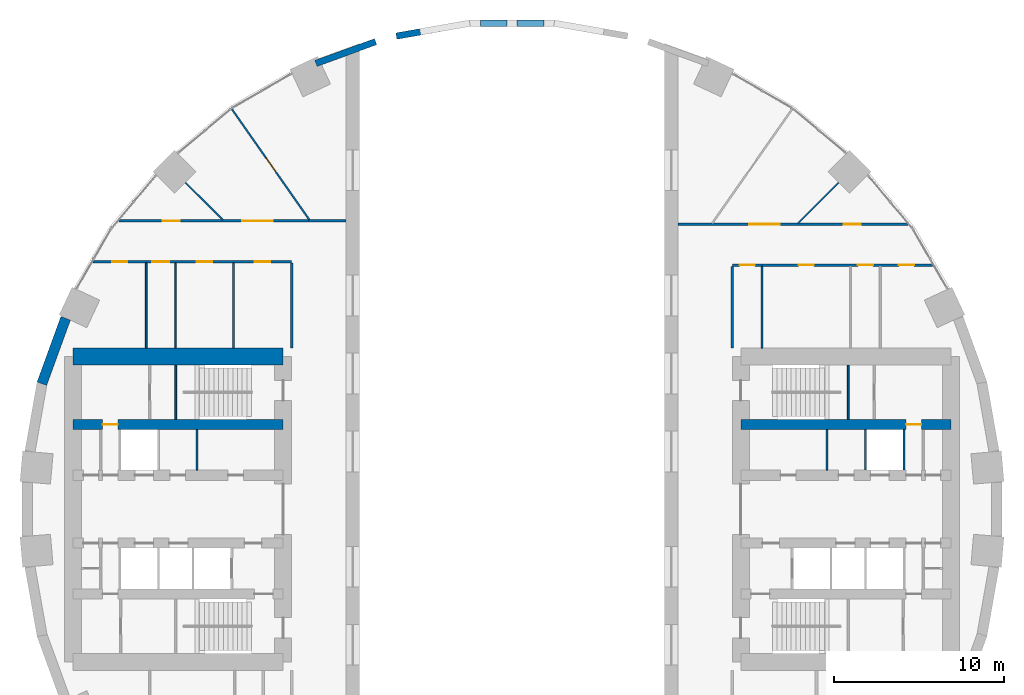
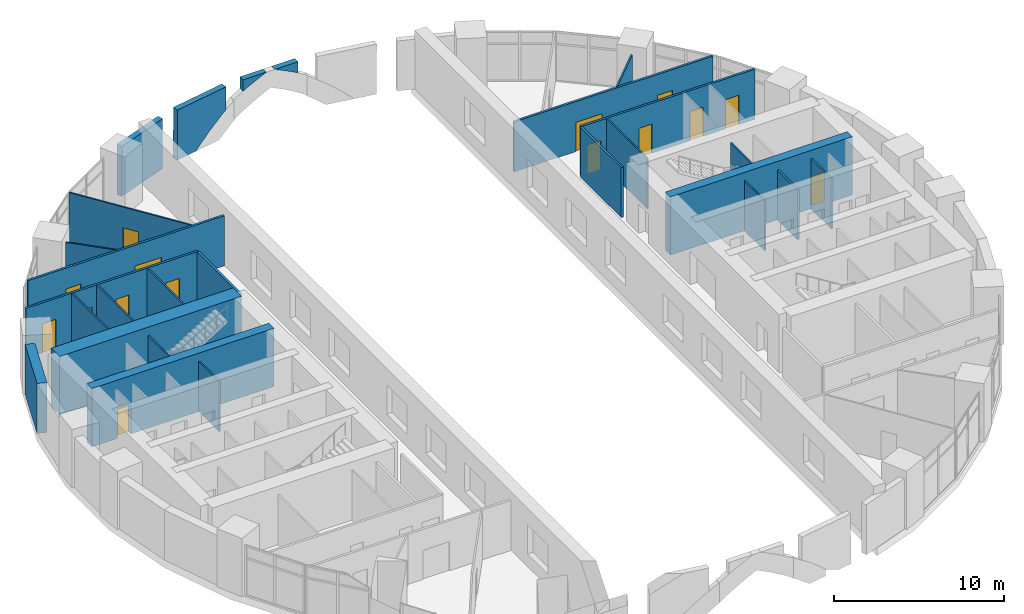
# One storey, part 13 of 15: 27 walls, 15 doors, 15 openings.
"""IFC4 building model written with IfcOpenShell, lengths in metres."""

from ifc_helpers import new_model, si_unit, direction, frame, frame_2d, origin, place, context, subcontext, project, spatial, polyline, rectangle, outline, extrude, material, layer, layer_set, type_object, element, fill, save


model = new_model("IFC4")

# Units and contexts
model_context = context("Model", 3, precision=1e-05, world=origin(), true_north=direction((0.0, 1.0)))
body_context = subcontext(model_context, "Body", "Model", "MODEL_VIEW")
ifc_project = project(units=[si_unit("LENGTHUNIT", "METRE"), si_unit("AREAUNIT", "SQUARE_METRE"), si_unit("VOLUMEUNIT", "CUBIC_METRE"), si_unit("PLANEANGLEUNIT", "RADIAN"), si_unit("MASSUNIT", "GRAM", prefix="KILO")], contexts=[model_context])

# Site, building, storey
site_placement = place(None, origin())
site = spatial("IfcSite", under=ifc_project, at=site_placement, CompositionType="ELEMENT")
building_placement = place(site_placement, origin())
building = spatial("IfcBuilding", under=site, at=building_placement, Name="Saqina Gate Tower", CompositionType="ELEMENT")
storey_placement = place(building_placement, frame((0.0, 0.0, 17.60009765625)))
storey = spatial("IfcBuildingStorey", under=building, at=storey_placement, Name="L04", CompositionType="ELEMENT", Elevation=17.60009765625)

# Walls
ifc_material_1 = material(Name="Gypsum board on steel studs", Category="steel")
ifc_layer_1 = layer(ifc_material_1, 0.10009765625)
ifc_layer_set_1 = layer_set([ifc_layer_1], Name="CORE PARTITION")
wall_type_1 = type_object("IfcWallType", Name="CORE PARTITION", PredefinedType="PARTITIONING", material=ifc_layer_set_1)
for number, where, z_axis, x_axis, name in (
    (1, (18.582763671875, 2.300048828125, 0.0), (0.0, 0.0, 1.0), (0.0, 1.0, 0.0), "L04-CP-E01"),
    (2, (-18.582763671875, 2.300048828125, 0.0), (0.0, 0.0, 1.0), (0.0, 1.0, 0.0), "L04-CP-W01"),
):
    element("IfcWall", number, at=place(storey_placement, frame(where, z_axis=z_axis, x_axis=x_axis)), inside=storey, type_object=wall_type_1, Name=name, PredefinedType="PARTITIONING", context=body_context, shape_type="SweptSolid", body=[
        extrude(rectangle(XDim=2.39990234375, YDim=0.10009765625, at=frame_2d((1.199951171875, 0.0))), origin(), (0.0, 0.0, 1.0), 3.599853515625),
    ])
ifc_material_2 = material(Name="Glazed ceramic tile", Category="ceramic")
ifc_layer_2 = layer(ifc_material_2, 0.3798828125)
ifc_layer_set_2 = layer_set([ifc_layer_2], Name="FW-ARCH")
wall_type_2 = type_object("IfcWallType", Name="FW-ARCH", PredefinedType="SOLIDWALL", material=ifc_layer_set_2)
wall_1_placement = place(storey_placement, frame((-1.87255859375, 28.84716796875, 3.599853515625), z_axis=(-9.2707463e-05, 0.999997459505, 0.002252196414), x_axis=(-1.6571e-08, 0.002252196422, -0.999997463802)))
element("IfcWall", 3, at=wall_1_placement, inside=storey, type_object=wall_type_2, Name="Arch frame wall L04 facet 9", PredefinedType="SOLIDWALL", context=body_context, shape_type="SweptSolid", body=[
    extrude(outline(polyline([(0.0, 0.0), (0.8242205085868971, 2.6469779601696886e-23), (0.6374528490739871, -0.3146972775403867), (-2.633265349742347e-08, -1.589111321296053), (0.0, 0.0)])), origin(), (0.0, 0.0, -1.0), 0.3798828125),
])
wall_2_placement = place(storey_placement, frame((1.872802734375, 28.84716796875, 3.599853515625), z_axis=(9.2681469e-05, 0.999997459559, 0.00225217375), x_axis=(-0.999999995705, 9.2681234e-05, 2.08735e-07)))
element("IfcWall", 4, at=wall_2_placement, inside=storey, type_object=wall_type_2, Name="Arch frame wall L04 facet 9", PredefinedType="SOLIDWALL", context=body_context, shape_type="SweptSolid", body=[
    extrude(outline(polyline([(0.0, 0.0), (1.5893554619238337, 0.0), (0.3149414076026505, -0.6374528542880732), (-1.3652332642722971e-08, -0.8242205085902359), (0.0, 0.0)])), origin(), (0.0, 0.0, -1.0), 0.3798828125),
])
wall_3_placement = place(storey_placement, frame((-3.1650390625, 28.734130859375, 3.599853515625), z_axis=(-0.173670912749, 0.984801696632, 0.002008077513), x_axis=(-0.984803682197, -0.173671262823, -4.0372e-08)))
element("IfcWall", 5, at=wall_3_placement, inside=storey, type_object=wall_type_2, Name="Arch frame wall L04 facet 10", PredefinedType="SOLIDWALL", context=body_context, shape_type="SweptSolid", body=[
    extrude(outline(polyline([(0.0, 0.0), (3.745379461620621, 0.0), (3.7453521537777634, -3.5998606846475094), (2.312697979892233, -3.5998606781283002), (2.1808456826695775, -3.4604562723167), (1.3010713377386536, -2.654058047193629), (0.36522127422020917, -1.9118692318878163), (-0.0001126746733170708, -1.6621129534081556), (0.0, 0.0)])), origin(), (0.0, 0.0, -1.0), 0.3798828125),
])
wall_4_placement = place(storey_placement, frame((-8.109130859375, 27.7548828125, 0.0), z_axis=(-0.342019725657, 0.939690559381, 0.002039576307), x_axis=(0.000746014046, -0.001898944844, 0.999997918734)))
element("IfcWall", 6, at=wall_4_placement, inside=storey, type_object=wall_type_2, Name="Arch frame wall L04 facet 11", PredefinedType="SOLIDWALL", context=body_context, shape_type="SweptSolid", body=[
    extrude(outline(polyline([(0.0, 0.0), (3.5998610078947766, -1.0842021724855044e-19), (3.599667947619239, -3.745407346899316), (-0.00019306027553755208, -3.7454073468993156), (0.0, 0.0)])), origin(), (0.0, 0.0, -1.0), 0.3798828125),
])
ifc_material_3 = material(Name="Glazed ceramic tile (white)", Category="ceramic")
ifc_layer_3 = layer(ifc_material_3, 0.60009765625)
ifc_layer_set_3 = layer_set([ifc_layer_3], Name="FW-TILE-WH")
wall_type_3 = type_object("IfcWallType", Name="FW-TILE-WH", PredefinedType="SOLIDWALL", material=ifc_layer_set_3)
wall_5_placement = place(storey_placement, frame((-26.327880859375, 11.255126953125, 0.0), z_axis=(0.0, 0.0, 1.0), x_axis=(-0.342034744565, -0.939687306241, 0.0)))
element("IfcWall", 7, at=wall_5_placement, inside=storey, type_object=wall_type_3, Name="Facade wall L04 facet 16", PredefinedType="SOLIDWALL", context=body_context, shape_type="SweptSolid", body=[
    extrude(rectangle(XDim=4.099365234375, YDim=0.60009765625, at=frame_2d((2.0498046875, 0.0))), origin(), (0.0, 0.0, 1.0), 3.599853515625),
])
ifc_material_4 = material(Name="Autoclaved aerated concrete block", Category="concrete")
ifc_layer_4 = layer(ifc_material_4, 0.1201171875)
ifc_layer_set_4 = layer_set([ifc_layer_4], Name="SHAFT PARTITION")
wall_type_4 = type_object("IfcWallType", Name="SHAFT PARTITION", PredefinedType="PARTITIONING", material=ifc_layer_set_4)
for number, where, z_axis, x_axis, name in (
    (8, (20.840087890625, 2.300048828125, 0.0), (0.0, 0.0, 1.0), (0.0, 1.0, 0.0), "L04-CP-E02"),
    (9, (23.1201171875, 2.300048828125, 0.0), (0.0, 0.0, 1.0), (0.0, 1.0, 0.0), "L04-CP-E03"),
):
    element("IfcWall", number, at=place(storey_placement, frame(where, z_axis=z_axis, x_axis=x_axis)), inside=storey, type_object=wall_type_4, Name=name, PredefinedType="PARTITIONING", context=body_context, shape_type="SweptSolid", body=[
        extrude(rectangle(XDim=2.39990234375, YDim=0.1201171875, at=frame_2d((1.199951171875, 0.0))), origin(), (0.0, 0.0, 1.0), 3.599853515625),
    ])

# Wall, opening, door
ifc_material_5 = material(Name="Gypsum board on steel studs, 100 mm", Category="steel")
ifc_layer_5 = layer(ifc_material_5, 0.10009765625)
ifc_layer_set_5 = layer_set([ifc_layer_5], Name="SPECIAL PARTITION 100")
wall_type_5 = type_object("IfcWallType", Name="SPECIAL PARTITION 100", PredefinedType="PARTITIONING", material=ifc_layer_set_5)
wall_6_placement = place(storey_placement, frame((-16.51904296875, 23.591064453125, 0.0), z_axis=(0.0, 0.0, 1.0), x_axis=(0.573651437941, -0.819099522493, 0.0)))
wall_6 = element("IfcWall", 10, at=wall_6_placement, inside=storey, type_object=wall_type_5, Name="PARTITION 001", PredefinedType="PARTITIONING", context=body_context, shape_type="SweptSolid", body=[
    extrude(rectangle(XDim=7.97119140625, YDim=0.10009765625, at=frame_2d((3.985595703125, 0.0))), origin(), (0.0, 0.0, 1.0), 3.599853515625),
])
opening_1_placement = place(wall_6_placement, frame((3.52294921875, 0.0, 0.0)))
opening_1 = element("IfcOpeningElement", 11, at=opening_1_placement, cuts=wall_6, Name="Opening L04-D08", PredefinedType="OPENING", context=body_context, shape_type="SweptSolid", body=[
    extrude(rectangle(XDim=1.0, YDim=2.10009765625, at=frame_2d((0.5, 1.050048828125))), frame((0.0, 0.06201171875, 0.0), z_axis=(0.0, -1.0, 0.0), x_axis=(1.0, 0.0, 0.0)), (0.0, 0.0, 1.0), 0.1240234375),
])
ifc_material_6 = material(Name="Timber door leaf", Category="wood")
door_type_1 = type_object("IfcDoorType", Name="SPECIAL DOOR 1000 TIMBER", OperationType="SINGLE_SWING_LEFT", PredefinedType="DOOR", material=ifc_material_6)
door_1_placement = place(opening_1_placement, origin())
door_1 = element("IfcDoor", 12, at=door_1_placement, inside=storey, type_object=door_type_1, Name="DOOR L04-D08", OperationType="SINGLE_SWING_RIGHT", OverallHeight=2.10009765625, OverallWidth=1.0, PredefinedType="DOOR", context=body_context, shape_type="SweptSolid", body=[
    extrude(rectangle(XDim=1.0, YDim=2.10009765625, at=frame_2d((0.5, 1.050048828125))), frame((0.0, 0.02490234375, 0.0), z_axis=(0.0, -1.0, 0.0), x_axis=(1.0, 0.0, 0.0)), (0.0, 0.0, 1.0), 0.050048828125),
])
fill(opening_1, door_1)

# Walls
wall_7_placement = place(storey_placement, frame((-19.26171875, 19.26171875, 0.0), z_axis=(0.0, 0.0, 1.0), x_axis=(0.707263082415, -0.706950445402, 0.0)))
element("IfcWall", 13, at=wall_7_placement, inside=storey, type_object=wall_type_5, Name="PARTITION 003", PredefinedType="PARTITIONING", context=body_context, shape_type="SweptSolid", body=[
    extrude(rectangle(XDim=3.12353515625, YDim=0.10009765625, at=frame_2d((1.561767578125, 0.0))), origin(), (0.0, 0.0, 1.0), 3.599853515625),
])
wall_8_placement = place(storey_placement, frame((16.85302734375, 16.85302734375, 0.0), z_axis=(0.0, 0.0, 1.0), x_axis=(0.707106781187, 0.707106781187, 0.0)))
element("IfcWall", 14, at=wall_8_placement, inside=storey, type_object=wall_type_5, Name="PARTITION 014", PredefinedType="PARTITIONING", context=body_context, shape_type="SweptSolid", body=[
    extrude(rectangle(XDim=3.406494140625, YDim=0.10009765625, at=frame_2d((1.703125, 0.0))), origin(), (0.0, 0.0, 1.0), 3.599853515625),
])
wall_9_placement = place(storey_placement, frame((14.742919921875, 9.5, 0.0), z_axis=(0.0, 0.0, 1.0), x_axis=(0.0, 1.0, 0.0)))
element("IfcWall", 15, at=wall_9_placement, inside=storey, type_object=wall_type_5, Name="PARTITION 022", PredefinedType="PARTITIONING", context=body_context, shape_type="SweptSolid", body=[
    extrude(rectangle(XDim=4.824951171875, YDim=0.10009765625, at=frame_2d((2.41259765625, 0.0))), origin(), (0.0, 0.0, 1.0), 3.599853515625),
])
for number, where, z_axis, x_axis, name in (
    (16, (-16.427001953125, 9.5, 0.0), (0.0, 0.0, 1.0), (0.0, 1.0, 0.0), "PARTITION 029"),
    (17, (-19.85302734375, 9.5, 0.0), (0.0, 0.0, 1.0), (0.0, 1.0, 0.0), "PARTITION 030"),
    (18, (-21.56689453125, 9.5, 0.0), (0.0, 0.0, 1.0), (0.0, 1.0, 0.0), "PARTITION 032"),
):
    element("IfcWall", number, at=place(storey_placement, frame(where, z_axis=z_axis, x_axis=x_axis)), inside=storey, type_object=wall_type_5, Name=name, PredefinedType="PARTITIONING", context=body_context, shape_type="SweptSolid", body=[
        extrude(rectangle(XDim=5.02490234375, YDim=0.10009765625, at=frame_2d((2.512451171875, 0.0))), origin(), (0.0, 0.0, 1.0), 3.599853515625),
    ])

# Wall, openings, doors
ifc_material_7 = material(Name="Gypsum board on steel studs, 150 mm, fire rated", Category="steel")
ifc_layer_6 = layer(ifc_material_7, 0.14990234375)
ifc_layer_set_6 = layer_set([ifc_layer_6], Name="SPECIAL PARTITION EI 30 150")
wall_type_6 = type_object("IfcWallType", Name="SPECIAL PARTITION EI 30 150", PredefinedType="PARTITIONING", material=ifc_layer_set_6)
wall_10_placement = place(storey_placement, frame((13.0, 14.39990234375, 0.0), z_axis=(0.0, 0.0, 1.0), x_axis=(1.0, 0.0, 0.0)))
wall_10 = element("IfcWall", 19, at=wall_10_placement, inside=storey, type_object=wall_type_6, Name="PARTITION 009", PredefinedType="PARTITIONING", context=body_context, shape_type="SweptSolid", body=[
    extrude(rectangle(XDim=11.81396484375, YDim=0.14990234375, at=frame_2d((5.906982421875, 0.0))), origin(), (0.0, 0.0, 1.0), 3.599853515625),
])
opening_2_placement = place(wall_10_placement, frame((9.81396484375, 0.0, 0.0)))
opening_2 = element("IfcOpeningElement", 20, at=opening_2_placement, cuts=wall_10, Name="Opening L04-D01", PredefinedType="OPENING", context=body_context, shape_type="SweptSolid", body=[
    extrude(rectangle(XDim=0.89990234375, YDim=2.10009765625, at=frame_2d((0.449951171875, 1.050048828125))), frame((0.0, 0.0869140625, 0.0), z_axis=(0.0, -1.0, 0.0), x_axis=(1.0, 0.0, 0.0)), (0.0, 0.0, 1.0), 0.173828125),
])
opening_3_placement = place(wall_10_placement, frame((7.392578125, 0.0, 0.0)))
opening_3 = element("IfcOpeningElement", 21, at=opening_3_placement, cuts=wall_10, Name="Opening L04-D02", PredefinedType="OPENING", context=body_context, shape_type="SweptSolid", body=[
    extrude(rectangle(XDim=0.89990234375, YDim=2.10009765625, at=frame_2d((0.449951171875, 1.050048828125))), frame((0.0, 0.0869140625, 0.0), z_axis=(0.0, -1.0, 0.0), x_axis=(1.0, 0.0, 0.0)), (0.0, 0.0, 1.0), 0.173828125),
])
opening_4_placement = place(wall_10_placement, frame((3.906982421875, 0.0, 0.0)))
opening_4 = element("IfcOpeningElement", 22, at=opening_4_placement, cuts=wall_10, Name="Opening L04-D03", PredefinedType="OPENING", context=body_context, shape_type="SweptSolid", body=[
    extrude(rectangle(XDim=0.89990234375, YDim=2.10009765625, at=frame_2d((0.449951171875, 1.050048828125))), frame((0.0, 0.0869140625, 0.0), z_axis=(0.0, -1.0, 0.0), x_axis=(1.0, 0.0, 0.0)), (0.0, 0.0, 1.0), 0.173828125),
])
opening_5_placement = place(wall_10_placement, frame((0.42138671875, 0.0, 0.0)))
opening_5 = element("IfcOpeningElement", 23, at=opening_5_placement, cuts=wall_10, Name="Opening L04-D05", PredefinedType="OPENING", context=body_context, shape_type="SweptSolid", body=[
    extrude(rectangle(XDim=0.89990234375, YDim=2.10009765625, at=frame_2d((0.449951171875, 1.050048828125))), frame((0.0, 0.0869140625, 0.0), z_axis=(0.0, -1.0, 0.0), x_axis=(1.0, 0.0, 0.0)), (0.0, 0.0, 1.0), 0.173828125),
])
ifc_material_8 = material(Name="Steel-framed fire door leaf, EI 30", Category="steel")
door_type_2 = type_object("IfcDoorType", Name="SPECIAL DOOR 900 FIRE EI 30", OperationType="SINGLE_SWING_LEFT", PredefinedType="DOOR", material=ifc_material_8)
door_2_placement = place(opening_2_placement, frame((0.89990234375, 0.0, 0.0), z_axis=(0.0, 0.0, 1.0), x_axis=(-1.0, 0.0, 0.0)))
door_2 = element("IfcDoor", 24, at=door_2_placement, inside=storey, type_object=door_type_2, Name="DOOR L04-D01", OperationType="SINGLE_SWING_LEFT", OverallHeight=2.10009765625, OverallWidth=0.89990234375, PredefinedType="DOOR", context=body_context, shape_type="SweptSolid", body=[
    extrude(rectangle(XDim=0.89990234375, YDim=2.10009765625, at=frame_2d((0.449951171875, 1.050048828125))), frame((0.0, 0.02490234375, 0.0), z_axis=(0.0, -1.0, 0.0), x_axis=(1.0, 0.0, 0.0)), (0.0, 0.0, 1.0), 0.050048828125),
])
fill(opening_2, door_2)
door_3_placement = place(opening_3_placement, frame((0.89990234375, 0.0, 0.0), z_axis=(0.0, 0.0, 1.0), x_axis=(-1.0, 0.0, 0.0)))
door_3 = element("IfcDoor", 25, at=door_3_placement, inside=storey, type_object=door_type_2, Name="DOOR L04-D02", OperationType="SINGLE_SWING_LEFT", OverallHeight=2.10009765625, OverallWidth=0.89990234375, PredefinedType="DOOR", context=body_context, shape_type="SweptSolid", body=[
    extrude(rectangle(XDim=0.89990234375, YDim=2.10009765625, at=frame_2d((0.449951171875, 1.050048828125))), frame((0.0, 0.02490234375, 0.0), z_axis=(0.0, -1.0, 0.0), x_axis=(1.0, 0.0, 0.0)), (0.0, 0.0, 1.0), 0.050048828125),
])
fill(opening_3, door_3)
door_4_placement = place(opening_4_placement, frame((0.89990234375, 0.0, 0.0), z_axis=(0.0, 0.0, 1.0), x_axis=(-1.0, 0.0, 0.0)))
door_4 = element("IfcDoor", 26, at=door_4_placement, inside=storey, type_object=door_type_2, Name="DOOR L04-D03", OperationType="SINGLE_SWING_RIGHT", OverallHeight=2.10009765625, OverallWidth=0.89990234375, PredefinedType="DOOR", context=body_context, shape_type="SweptSolid", body=[
    extrude(rectangle(XDim=0.89990234375, YDim=2.10009765625, at=frame_2d((0.449951171875, 1.050048828125))), frame((0.0, 0.02490234375, 0.0), z_axis=(0.0, -1.0, 0.0), x_axis=(1.0, 0.0, 0.0)), (0.0, 0.0, 1.0), 0.050048828125),
])
fill(opening_4, door_4)
door_5_placement = place(opening_5_placement, frame((0.89990234375, 0.0, 0.0), z_axis=(0.0, 0.0, 1.0), x_axis=(-1.0, 0.0, 0.0)))
door_5 = element("IfcDoor", 27, at=door_5_placement, inside=storey, type_object=door_type_2, Name="DOOR L04-D05", OperationType="SINGLE_SWING_RIGHT", OverallHeight=2.10009765625, OverallWidth=0.89990234375, PredefinedType="DOOR", context=body_context, shape_type="SweptSolid", body=[
    extrude(rectangle(XDim=0.89990234375, YDim=2.10009765625, at=frame_2d((0.449951171875, 1.050048828125))), frame((0.0, 0.02490234375, 0.0), z_axis=(0.0, -1.0, 0.0), x_axis=(1.0, 0.0, 0.0)), (0.0, 0.0, 1.0), 0.050048828125),
])
fill(opening_5, door_5)

wall_11_placement = place(storey_placement, frame((-24.697998046875, 14.60009765625, 0.0), z_axis=(0.0, 0.0, 1.0), x_axis=(1.0, 0.0, 0.0)))
wall_11 = element("IfcWall", 28, at=wall_11_placement, inside=storey, type_object=wall_type_6, Name="PARTITION 010", PredefinedType="PARTITIONING", context=body_context, shape_type="SweptSolid", body=[
    extrude(rectangle(XDim=11.697998046875, YDim=0.14990234375, at=frame_2d((5.84912109375, 0.0))), origin(), (0.0, 0.0, 1.0), 3.599853515625),
])
opening_6_placement = place(wall_11_placement, frame((9.534423828125, 0.0, 0.0)))
opening_6 = element("IfcOpeningElement", 29, at=opening_6_placement, cuts=wall_11, Name="Opening L04-D10", PredefinedType="OPENING", context=body_context, shape_type="SweptSolid", body=[
    extrude(rectangle(XDim=0.89990234375, YDim=2.10009765625, at=frame_2d((0.449951171875, 1.050048828125))), frame((0.0, 0.0869140625, 0.0), z_axis=(0.0, -1.0, 0.0), x_axis=(1.0, 0.0, 0.0)), (0.0, 0.0, 1.0), 0.173828125),
])
opening_7_placement = place(wall_11_placement, frame((6.10791015625, 0.0, 0.0)))
opening_7 = element("IfcOpeningElement", 30, at=opening_7_placement, cuts=wall_11, Name="Opening L04-D12", PredefinedType="OPENING", context=body_context, shape_type="SweptSolid", body=[
    extrude(rectangle(XDim=0.89990234375, YDim=2.10009765625, at=frame_2d((0.449951171875, 1.050048828125))), frame((0.0, 0.0869140625, 0.0), z_axis=(0.0, -1.0, 0.0), x_axis=(1.0, 0.0, 0.0)), (0.0, 0.0, 1.0), 0.173828125),
])
opening_8_placement = place(wall_11_placement, frame((3.488037109375, 0.0, 0.0)))
opening_8 = element("IfcOpeningElement", 31, at=opening_8_placement, cuts=wall_11, Name="Opening L04-D13", PredefinedType="OPENING", context=body_context, shape_type="SweptSolid", body=[
    extrude(rectangle(XDim=1.0, YDim=2.10009765625, at=frame_2d((0.5, 1.050048828125))), frame((0.0, 0.0869140625, 0.0), z_axis=(0.0, -1.0, 0.0), x_axis=(1.0, 0.0, 0.0)), (0.0, 0.0, 1.0), 0.173828125),
])
opening_9_placement = place(wall_11_placement, frame((1.115478515625, 0.0, 0.0)))
opening_9 = element("IfcOpeningElement", 32, at=opening_9_placement, cuts=wall_11, Name="Opening L04-D14", PredefinedType="OPENING", context=body_context, shape_type="SweptSolid", body=[
    extrude(rectangle(XDim=0.89990234375, YDim=2.10009765625, at=frame_2d((0.449951171875, 1.050048828125))), frame((0.0, 0.0869140625, 0.0), z_axis=(0.0, -1.0, 0.0), x_axis=(1.0, 0.0, 0.0)), (0.0, 0.0, 1.0), 0.173828125),
])
ifc_material_9 = material(Name="Steel-framed fire door leaf, EI 30", Category="steel")
door_type_3 = type_object("IfcDoorType", Name="SPECIAL DOOR 1000 FIRE EI 30", OperationType="SINGLE_SWING_LEFT", PredefinedType="DOOR", material=ifc_material_9)
door_6_placement = place(opening_8_placement, frame((1.0, 0.0, 0.0), z_axis=(0.0, 0.0, 1.0), x_axis=(-1.0, 0.0, 0.0)))
door_6 = element("IfcDoor", 33, at=door_6_placement, inside=storey, type_object=door_type_3, Name="DOOR L04-D13", OperationType="SINGLE_SWING_RIGHT", OverallHeight=2.10009765625, OverallWidth=1.0, PredefinedType="DOOR", context=body_context, shape_type="SweptSolid", body=[
    extrude(rectangle(XDim=1.0, YDim=2.10009765625, at=frame_2d((0.5, 1.050048828125))), frame((0.0, 0.02490234375, 0.0), z_axis=(0.0, -1.0, 0.0), x_axis=(1.0, 0.0, 0.0)), (0.0, 0.0, 1.0), 0.050048828125),
])
fill(opening_8, door_6)
door_7_placement = place(opening_6_placement, frame((0.89990234375, 0.0, 0.0), z_axis=(0.0, 0.0, 1.0), x_axis=(-1.0, 0.0, 0.0)))
door_7 = element("IfcDoor", 34, at=door_7_placement, inside=storey, type_object=door_type_2, Name="DOOR L04-D10", OperationType="SINGLE_SWING_LEFT", OverallHeight=2.10009765625, OverallWidth=0.89990234375, PredefinedType="DOOR", context=body_context, shape_type="SweptSolid", body=[
    extrude(rectangle(XDim=0.89990234375, YDim=2.10009765625, at=frame_2d((0.449951171875, 1.050048828125))), frame((0.0, 0.02490234375, 0.0), z_axis=(0.0, -1.0, 0.0), x_axis=(1.0, 0.0, 0.0)), (0.0, 0.0, 1.0), 0.050048828125),
])
fill(opening_6, door_7)
door_8_placement = place(opening_7_placement, frame((0.89990234375, 0.0, 0.0), z_axis=(0.0, 0.0, 1.0), x_axis=(-1.0, 0.0, 0.0)))
door_8 = element("IfcDoor", 35, at=door_8_placement, inside=storey, type_object=door_type_2, Name="DOOR L04-D12", OperationType="SINGLE_SWING_LEFT", OverallHeight=2.10009765625, OverallWidth=0.89990234375, PredefinedType="DOOR", context=body_context, shape_type="SweptSolid", body=[
    extrude(rectangle(XDim=0.89990234375, YDim=2.10009765625, at=frame_2d((0.449951171875, 1.050048828125))), frame((0.0, 0.02490234375, 0.0), z_axis=(0.0, -1.0, 0.0), x_axis=(1.0, 0.0, 0.0)), (0.0, 0.0, 1.0), 0.050048828125),
])
fill(opening_7, door_8)
door_9_placement = place(opening_9_placement, frame((0.89990234375, 0.0, 0.0), z_axis=(0.0, 0.0, 1.0), x_axis=(-1.0, 0.0, 0.0)))
door_9 = element("IfcDoor", 36, at=door_9_placement, inside=storey, type_object=door_type_2, Name="DOOR L04-D14", OperationType="SINGLE_SWING_RIGHT", OverallHeight=2.10009765625, OverallWidth=0.89990234375, PredefinedType="DOOR", context=body_context, shape_type="SweptSolid", body=[
    extrude(rectangle(XDim=0.89990234375, YDim=2.10009765625, at=frame_2d((0.449951171875, 1.050048828125))), frame((0.0, 0.02490234375, 0.0), z_axis=(0.0, -1.0, 0.0), x_axis=(1.0, 0.0, 0.0)), (0.0, 0.0, 1.0), 0.050048828125),
])
fill(opening_9, door_9)

wall_12_placement = place(storey_placement, frame((9.800048828125, 16.800048828125, 0.0), z_axis=(0.0, 0.0, 1.0), x_axis=(1.0, 0.0, 0.0)))
wall_12 = element("IfcWall", 37, at=wall_12_placement, inside=storey, type_object=wall_type_6, Name="PARTITION 011", PredefinedType="PARTITIONING", context=body_context, shape_type="SweptSolid", body=[
    extrude(rectangle(XDim=13.554931640625, YDim=0.14990234375, at=frame_2d((6.77734375, 0.0))), origin(), (0.0, 0.0, 1.0), 3.599853515625),
])
opening_10_placement = place(wall_12_placement, frame((9.777587890625, 0.0, 0.0)))
opening_10 = element("IfcOpeningElement", 38, at=opening_10_placement, cuts=wall_12, Name="Opening L04-D04", PredefinedType="OPENING", context=body_context, shape_type="SweptSolid", body=[
    extrude(rectangle(XDim=1.0, YDim=2.10009765625, at=frame_2d((0.5, 1.050048828125))), frame((0.0, 0.0869140625, 0.0), z_axis=(0.0, -1.0, 0.0), x_axis=(1.0, 0.0, 0.0)), (0.0, 0.0, 1.0), 0.173828125),
])
opening_11_placement = place(wall_12_placement, frame((4.197998046875, 0.0, 0.0)))
opening_11 = element("IfcOpeningElement", 39, at=opening_11_placement, cuts=wall_12, Name="Opening L04-D06", PredefinedType="OPENING", context=body_context, shape_type="SweptSolid", body=[
    extrude(rectangle(XDim=1.800048828125, YDim=2.10009765625, at=frame_2d((0.89990234375, 1.050048828125))), frame((0.0, 0.0869140625, 0.0), z_axis=(0.0, -1.0, 0.0), x_axis=(1.0, 0.0, 0.0)), (0.0, 0.0, 1.0), 0.173828125),
])
door_10_placement = place(opening_10_placement, origin())
door_10 = element("IfcDoor", 40, at=door_10_placement, inside=storey, type_object=door_type_3, Name="DOOR L04-D04", OperationType="SINGLE_SWING_RIGHT", OverallHeight=2.10009765625, OverallWidth=1.0, PredefinedType="DOOR", context=body_context, shape_type="SweptSolid", body=[
    extrude(rectangle(XDim=1.0, YDim=2.10009765625, at=frame_2d((0.5, 1.050048828125))), frame((0.0, 0.02490234375, 0.0), z_axis=(0.0, -1.0, 0.0), x_axis=(1.0, 0.0, 0.0)), (0.0, 0.0, 1.0), 0.050048828125),
])
fill(opening_10, door_10)
ifc_material_10 = material(Name="Steel-framed fire door leaf, EI 30", Category="steel")
door_type_4 = type_object("IfcDoorType", Name="SPECIAL DOUBLE DOOR 1800 FIRE EI 30", OperationType="DOUBLE_DOOR_SINGLE_SWING", PredefinedType="DOOR", material=ifc_material_10)
door_11_placement = place(opening_11_placement, origin())
door_11 = element("IfcDoor", 41, at=door_11_placement, inside=storey, type_object=door_type_4, Name="DOOR L04-D06", OperationType="DOUBLE_DOOR_SINGLE_SWING", OverallHeight=2.10009765625, OverallWidth=1.800048828125, PredefinedType="DOOR", context=body_context, shape_type="SweptSolid", body=[
    extrude(rectangle(XDim=1.800048828125, YDim=2.10009765625, at=frame_2d((0.89990234375, 1.050048828125))), frame((0.0, 0.02490234375, 0.0), z_axis=(0.0, -1.0, 0.0), x_axis=(1.0, 0.0, 0.0)), (0.0, 0.0, 1.0), 0.050048828125),
])
fill(opening_11, door_11)

wall_13_placement = place(storey_placement, frame((-23.18701171875, 17.0, 0.0), z_axis=(0.0, 0.0, 1.0), x_axis=(1.0, 0.0, 0.0)))
wall_13 = element("IfcWall", 42, at=wall_13_placement, inside=storey, type_object=wall_type_6, Name="PARTITION 012", PredefinedType="PARTITIONING", context=body_context, shape_type="SweptSolid", body=[
    extrude(rectangle(XDim=13.386962890625, YDim=0.14990234375, at=frame_2d((6.693359375, 0.0))), origin(), (0.0, 0.0, 1.0), 3.599853515625),
])
opening_12_placement = place(wall_13_placement, frame((7.2890625, 0.0, 0.0)))
opening_12 = element("IfcOpeningElement", 43, at=opening_12_placement, cuts=wall_13, Name="Opening L04-D09", PredefinedType="OPENING", context=body_context, shape_type="SweptSolid", body=[
    extrude(rectangle(XDim=1.800048828125, YDim=2.10009765625, at=frame_2d((0.89990234375, 1.050048828125))), frame((0.0, 0.0869140625, 0.0), z_axis=(0.0, -1.0, 0.0), x_axis=(1.0, 0.0, 0.0)), (0.0, 0.0, 1.0), 0.173828125),
])
opening_13_placement = place(wall_13_placement, frame((2.593505859375, 0.0, 0.0)))
opening_13 = element("IfcOpeningElement", 44, at=opening_13_placement, cuts=wall_13, Name="Opening L04-D11", PredefinedType="OPENING", context=body_context, shape_type="SweptSolid", body=[
    extrude(rectangle(XDim=1.0, YDim=2.10009765625, at=frame_2d((0.5, 1.050048828125))), frame((0.0, 0.0869140625, 0.0), z_axis=(0.0, -1.0, 0.0), x_axis=(1.0, 0.0, 0.0)), (0.0, 0.0, 1.0), 0.173828125),
])
door_12_placement = place(opening_13_placement, origin())
door_12 = element("IfcDoor", 45, at=door_12_placement, inside=storey, type_object=door_type_3, Name="DOOR L04-D11", OperationType="SINGLE_SWING_LEFT", OverallHeight=2.10009765625, OverallWidth=1.0, PredefinedType="DOOR", context=body_context, shape_type="SweptSolid", body=[
    extrude(rectangle(XDim=1.0, YDim=2.10009765625, at=frame_2d((0.5, 1.050048828125))), frame((0.0, 0.02490234375, 0.0), z_axis=(0.0, -1.0, 0.0), x_axis=(1.0, 0.0, 0.0)), (0.0, 0.0, 1.0), 0.050048828125),
])
fill(opening_13, door_12)
door_13_placement = place(opening_12_placement, origin())
door_13 = element("IfcDoor", 46, at=door_13_placement, inside=storey, type_object=door_type_4, Name="DOOR L04-D09", OperationType="DOUBLE_DOOR_SINGLE_SWING", OverallHeight=2.10009765625, OverallWidth=1.800048828125, PredefinedType="DOOR", context=body_context, shape_type="SweptSolid", body=[
    extrude(rectangle(XDim=1.800048828125, YDim=2.10009765625, at=frame_2d((0.89990234375, 1.050048828125))), frame((0.0, 0.02490234375, 0.0), z_axis=(0.0, -1.0, 0.0), x_axis=(1.0, 0.0, 0.0)), (0.0, 0.0, 1.0), 0.050048828125),
])
fill(opening_12, door_13)

# Walls
wall_14_placement = place(storey_placement, frame((13.0, 9.5, 0.0), z_axis=(0.0, 0.0, 1.0), x_axis=(0.0, 1.0, 0.0)))
element("IfcWall", 47, at=wall_14_placement, inside=storey, type_object=wall_type_6, Name="PARTITION 024", PredefinedType="PARTITIONING", context=body_context, shape_type="SweptSolid", body=[
    extrude(rectangle(XDim=4.824951171875, YDim=0.14990234375, at=frame_2d((2.41259765625, 0.0))), origin(), (0.0, 0.0, 1.0), 3.599853515625),
])
wall_15_placement = place(storey_placement, frame((-13.0, 9.5, 0.0), z_axis=(0.0, 0.0, 1.0), x_axis=(0.0, 1.0, 0.0)))
element("IfcWall", 48, at=wall_15_placement, inside=storey, type_object=wall_type_6, Name="PARTITION 026", PredefinedType="PARTITIONING", context=body_context, shape_type="SweptSolid", body=[
    extrude(rectangle(XDim=5.02490234375, YDim=0.14990234375, at=frame_2d((2.512451171875, 0.0))), origin(), (0.0, 0.0, 1.0), 3.599853515625),
])
ifc_material_11 = material(Name="Autoclaved aerated concrete block", Category="concrete")
ifc_layer_7 = layer(ifc_material_11, 0.10009765625)
ifc_layer_set_7 = layer_set([ifc_layer_7], Name="STAIR ENCLOSURE WALL")
wall_type_7 = type_object("IfcWallType", Name="STAIR ENCLOSURE WALL", PredefinedType="PARTITIONING", material=ifc_layer_set_7)
for number, where, z_axis, x_axis, name in (
    (49, (19.830078125, 5.300048828125, 0.0), (0.0, 0.0, 1.0), (0.0, 1.0, 0.0), "L04-CP-E11"),
    (50, (-19.830078125, 5.300048828125, 0.0), (0.0, 0.0, 1.0), (0.0, 1.0, 0.0), "L04-CP-W11"),
):
    element("IfcWall", number, at=place(storey_placement, frame(where, z_axis=z_axis, x_axis=x_axis)), inside=storey, type_object=wall_type_7, Name=name, PredefinedType="PARTITIONING", context=body_context, shape_type="SweptSolid", body=[
        extrude(rectangle(XDim=3.199951171875, YDim=0.10009765625, at=frame_2d((1.60009765625, 0.0))), origin(), (0.0, 0.0, 1.0), 3.599853515625),
    ])

# Wall, opening, door
ifc_material_12 = material(Name="Concrete C70/85", Category="concrete")
ifc_layer_8 = layer(ifc_material_12, 0.60009765625)
ifc_layer_set_8 = layer_set([ifc_layer_8], Name="Concrete C70/85")
wall_type_8 = type_object("IfcWallType", Name="STR-CORE WALL-P-I", PredefinedType="SHEAR", material=ifc_layer_set_8)
wall_16_placement = place(storey_placement, frame((13.5, 5.0, 0.0), z_axis=(0.0, 0.0, 1.0), x_axis=(1.0, 0.0, 0.0)))
wall_16 = element("IfcWall", 51, at=wall_16_placement, inside=storey, type_object=wall_type_8, Name="CORE WALL L04 E-X1", PredefinedType="SHEAR", context=body_context, shape_type="SweptSolid", body=[
    extrude(rectangle(XDim=12.39990234375, YDim=0.60009765625, at=frame_2d((6.199951171875, 0.0))), origin(), (0.0, 0.0, 1.0), 4.199951171875),
])
opening_14_placement = place(wall_16_placement, frame((9.739990234375, 0.0, 0.0)))
opening_14 = element("IfcOpeningElement", 52, at=opening_14_placement, cuts=wall_16, Name="Opening L04-D98", PredefinedType="OPENING", context=body_context, shape_type="SweptSolid", body=[
    extrude(rectangle(XDim=0.89990234375, YDim=2.10009765625, at=frame_2d((0.449951171875, 1.050048828125))), frame((0.0, 0.31201171875, 0.0), z_axis=(0.0, -1.0, 0.0), x_axis=(1.0, 0.0, 0.0)), (0.0, 0.0, 1.0), 0.6240234375),
])
ifc_material_13 = material(Name="Steel-framed fire door leaf, EI 60", Category="steel")
door_type_5 = type_object("IfcDoorType", Name="SERVICE ROOM DOOR 900", OperationType="SINGLE_SWING_LEFT", PredefinedType="DOOR", material=ifc_material_13)
door_14_placement = place(opening_14_placement, origin())
door_14 = element("IfcDoor", 53, at=door_14_placement, inside=storey, type_object=door_type_5, Name="L04-CD-E09", OperationType="SINGLE_SWING_RIGHT", OverallHeight=2.10009765625, OverallWidth=0.89990234375, PredefinedType="DOOR", context=body_context, shape_type="SweptSolid", body=[
    extrude(rectangle(XDim=0.89990234375, YDim=2.10009765625, at=frame_2d((0.449951171875, 1.050048828125))), frame((0.0, 0.02490234375, 0.0), z_axis=(0.0, -1.0, 0.0), x_axis=(1.0, 0.0, 0.0)), (0.0, 0.0, 1.0), 0.050048828125),
])
fill(opening_14, door_14)

wall_17_placement = place(storey_placement, frame((-13.5, 5.0, 0.0), z_axis=(0.0, 0.0, 1.0), x_axis=(-1.0, 0.0, 0.0)))
wall_17 = element("IfcWall", 54, at=wall_17_placement, inside=storey, type_object=wall_type_8, Name="CORE WALL L04 W-X1", PredefinedType="SHEAR", context=body_context, shape_type="SweptSolid", body=[
    extrude(rectangle(XDim=12.39990234375, YDim=0.60009765625, at=frame_2d((6.199951171875, 0.0))), origin(), (0.0, 0.0, 1.0), 4.199951171875),
])
opening_15_placement = place(wall_17_placement, frame((9.739990234375, 0.0, 0.0)))
opening_15 = element("IfcOpeningElement", 55, at=opening_15_placement, cuts=wall_17, Name="Opening L04-D114", PredefinedType="OPENING", context=body_context, shape_type="SweptSolid", body=[
    extrude(rectangle(XDim=0.89990234375, YDim=2.10009765625, at=frame_2d((0.449951171875, 1.050048828125))), frame((0.0, 0.31201171875, 0.0), z_axis=(0.0, -1.0, 0.0), x_axis=(1.0, 0.0, 0.0)), (0.0, 0.0, 1.0), 0.6240234375),
])
door_15_placement = place(opening_15_placement, frame((0.89990234375, 0.0, 0.0), z_axis=(0.0, 0.0, 1.0), x_axis=(-1.0, 0.0, 0.0)))
door_15 = element("IfcDoor", 56, at=door_15_placement, inside=storey, type_object=door_type_5, Name="L04-CD-W25", OperationType="SINGLE_SWING_LEFT", OverallHeight=2.10009765625, OverallWidth=0.89990234375, PredefinedType="DOOR", context=body_context, shape_type="SweptSolid", body=[
    extrude(rectangle(XDim=0.89990234375, YDim=2.10009765625, at=frame_2d((0.449951171875, 1.050048828125))), frame((0.0, 0.02490234375, 0.0), z_axis=(0.0, -1.0, 0.0), x_axis=(1.0, 0.0, 0.0)), (0.0, 0.0, 1.0), 0.050048828125),
])
fill(opening_15, door_15)

# Wall
ifc_material_14 = material(Name="Concrete C70/85", Category="concrete")
ifc_layer_9 = layer(ifc_material_14, 1.0)
ifc_layer_set_9 = layer_set([ifc_layer_9], Name="Concrete C70/85")
wall_type_9 = type_object("IfcWallType", Name="STR-CORE WALL-P-O", PredefinedType="SHEAR", material=ifc_layer_set_9)
wall_18_placement = place(storey_placement, frame((-13.5, 9.0, 0.0), z_axis=(0.0, 0.0, 1.0), x_axis=(-1.0, 0.0, 0.0)))
element("IfcWall", 57, at=wall_18_placement, inside=storey, type_object=wall_type_9, Name="CORE WALL L04 W-NE", PredefinedType="SHEAR", context=body_context, shape_type="SweptSolid", body=[
    extrude(rectangle(XDim=12.39990234375, YDim=1.0, at=frame_2d((6.199951171875, 0.0))), origin(), (0.0, 0.0, 1.0), 4.199951171875),
])

save(model, "model.ifc")
